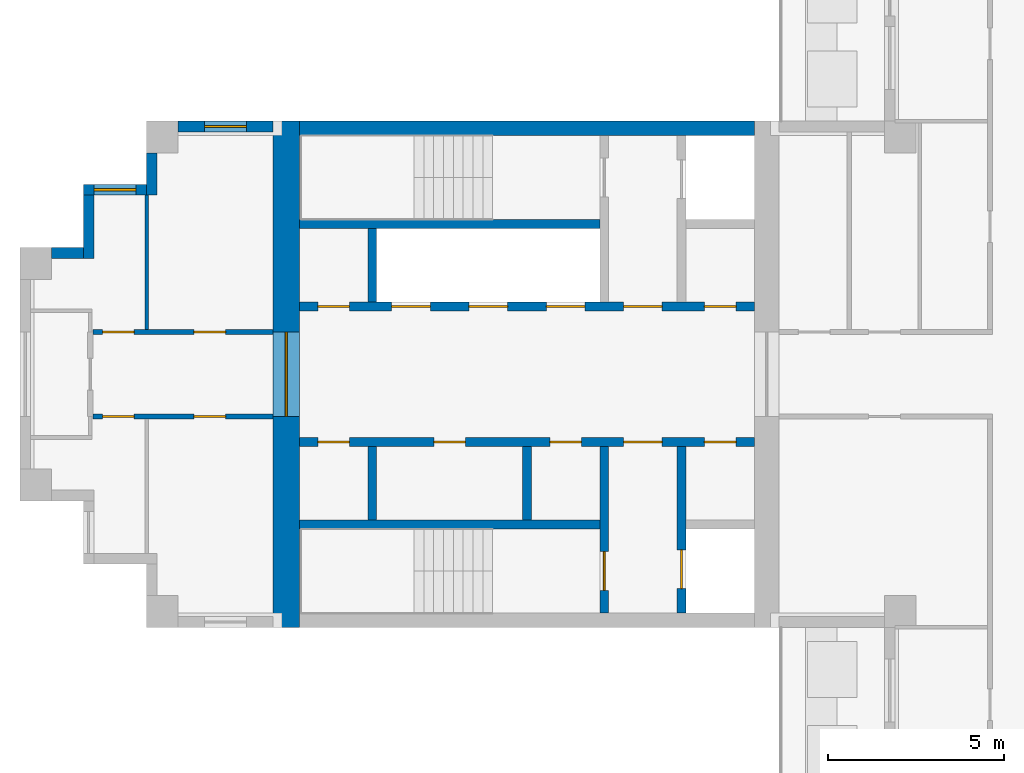
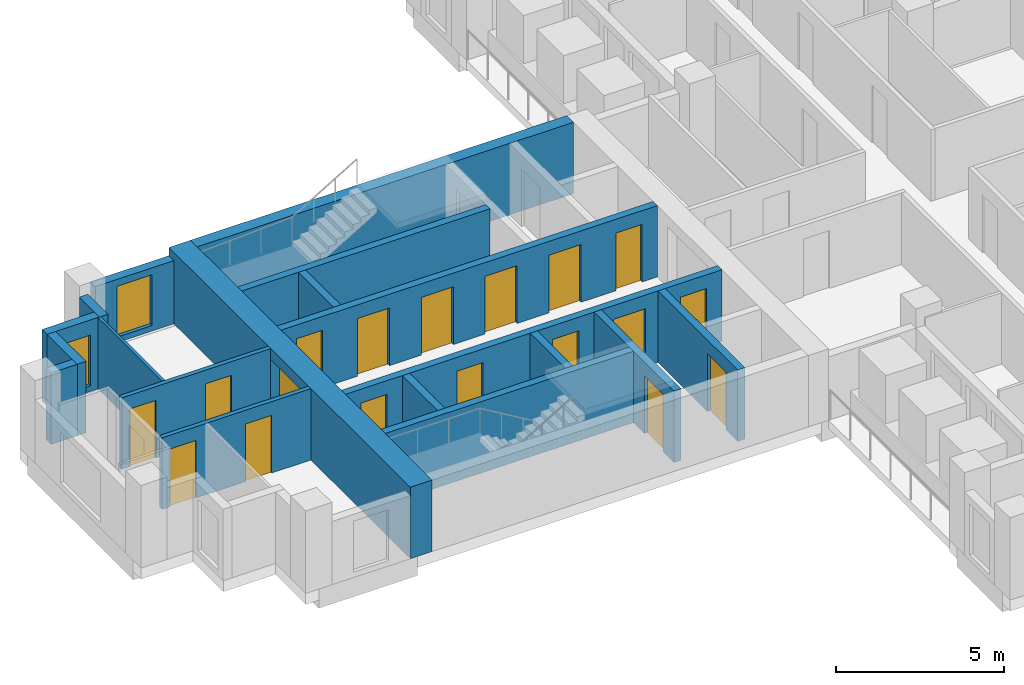
# One storey, part 3 of 10: 19 walls, 18 doors, 2 windows, 20 openings.
"""IFC4 building model written with IfcOpenShell, lengths in metres."""

from ifc_helpers import new_model, si_unit, direction, frame, frame_2d, origin, place, context, subcontext, project, spatial, rectangle, extrude, material, layer, layer_set, type_object, element, fill, save


model = new_model("IFC4")

# Units and contexts
model_context = context("Model", 3, precision=1e-05, world=origin(), true_north=direction((0.0, 1.0)))
body_context = subcontext(model_context, "Body", "Model", "MODEL_VIEW")
ifc_project = project(units=[si_unit("LENGTHUNIT", "METRE"), si_unit("AREAUNIT", "SQUARE_METRE"), si_unit("VOLUMEUNIT", "CUBIC_METRE"), si_unit("PLANEANGLEUNIT", "RADIAN"), si_unit("MASSUNIT", "GRAM", prefix="KILO")], contexts=[model_context])

# Site, building, storey
site_placement = place(None, origin())
site = spatial("IfcSite", under=ifc_project, at=site_placement, CompositionType="ELEMENT")
building_placement = place(site_placement, origin())
building = spatial("IfcBuilding", under=site, at=building_placement, Name="Fustian Cross Tower", CompositionType="ELEMENT")
storey_placement = place(building_placement, frame((0.0, 0.0, 213.89990234375)))
storey = spatial("IfcBuildingStorey", under=building, at=storey_placement, Name="L67", CompositionType="ELEMENT", Elevation=213.89990234375)

# Wall, openings, doors
ifc_material_1 = material(Name="Plasterboard on steel stud", Category="steel")
ifc_layer_1 = layer(ifc_material_1, 0.14990234375)
ifc_layer_set_1 = layer_set([ifc_layer_1], Name="Plasterboard on steel stud")
wall_type_1 = type_object("IfcWallType", Name="COMPARTMENT WALL 150 EI 60", PredefinedType="PARTITIONING", material=ifc_layer_set_1)
wall_1_placement = place(storey_placement, frame((-26.72509765625, -1.199951171875, 0.0), z_axis=(0.0, 0.0, 1.0), x_axis=(1.0, 0.0, 0.0)))
wall_1 = element("IfcWall", 1, at=wall_1_placement, inside=storey, type_object=wall_type_1, Name="Partition 5", PredefinedType="PARTITIONING", context=body_context, shape_type="SweptSolid", body=[
    extrude(rectangle(XDim=5.125, YDim=0.14990234375, at=frame_2d((2.5625, 0.0))), origin(), (0.0, 0.0, 1.0), 2.60009765625),
])
opening_1_placement = place(wall_1_placement, frame((2.875, 0.0, 0.0)))
opening_1 = element("IfcOpeningElement", 2, at=opening_1_placement, cuts=wall_1, Name="Opening D30026", PredefinedType="OPENING", context=body_context, shape_type="SweptSolid", body=[
    extrude(rectangle(XDim=0.89990234375, YDim=2.10009765625, at=frame_2d((0.449951171875, 1.050048828125))), frame((0.0, 0.0849609375, 0.0), z_axis=(0.0, -1.0, 0.0), x_axis=(1.0, 0.0, 0.0)), (0.0, 0.0, 1.0), 0.169921875),
])
opening_2_placement = place(wall_1_placement, frame((0.27490234375, 0.0, 0.0)))
opening_2 = element("IfcOpeningElement", 3, at=opening_2_placement, cuts=wall_1, Name="Opening D30027", PredefinedType="OPENING", context=body_context, shape_type="SweptSolid", body=[
    extrude(rectangle(XDim=0.89990234375, YDim=2.10009765625, at=frame_2d((0.449951171875, 1.050048828125))), frame((0.0, 0.0849609375, 0.0), z_axis=(0.0, -1.0, 0.0), x_axis=(1.0, 0.0, 0.0)), (0.0, 0.0, 1.0), 0.169921875),
])
ifc_material_2 = material(Name="Timber fire door set", Category="wood")
door_type_1 = type_object("IfcDoorType", Name="FIRE SWING DOOR 900 FD30S", OperationType="SINGLE_SWING_LEFT", PredefinedType="DOOR", material=ifc_material_2)
door_1_placement = place(opening_1_placement, frame((0.89990234375, 0.0, 0.0), z_axis=(0.0, 0.0, 1.0), x_axis=(-1.0, 0.0, 0.0)))
door_1 = element("IfcDoor", 4, at=door_1_placement, inside=storey, type_object=door_type_1, Name="Door D30026", OperationType="SINGLE_SWING_RIGHT", OverallHeight=2.10009765625, OverallWidth=0.89990234375, PredefinedType="DOOR", context=body_context, shape_type="SweptSolid", body=[
    extrude(rectangle(XDim=0.89990234375, YDim=2.10009765625, at=frame_2d((0.449951171875, 1.050048828125))), frame((0.0, 0.02490234375, 0.0), z_axis=(0.0, -1.0, 0.0), x_axis=(1.0, 0.0, 0.0)), (0.0, 0.0, 1.0), 0.050048828125),
])
fill(opening_1, door_1)
door_2_placement = place(opening_2_placement, frame((0.89990234375, 0.0, 0.0), z_axis=(0.0, 0.0, 1.0), x_axis=(-1.0, 0.0, 0.0)))
door_2 = element("IfcDoor", 5, at=door_2_placement, inside=storey, type_object=door_type_1, Name="Door D30027", OperationType="SINGLE_SWING_RIGHT", OverallHeight=2.10009765625, OverallWidth=0.89990234375, PredefinedType="DOOR", context=body_context, shape_type="SweptSolid", body=[
    extrude(rectangle(XDim=0.89990234375, YDim=2.10009765625, at=frame_2d((0.449951171875, 1.050048828125))), frame((0.0, 0.02490234375, 0.0), z_axis=(0.0, -1.0, 0.0), x_axis=(1.0, 0.0, 0.0)), (0.0, 0.0, 1.0), 0.050048828125),
])
fill(opening_2, door_2)

wall_2_placement = place(storey_placement, frame((-26.72509765625, 1.199951171875, 0.0), z_axis=(0.0, 0.0, 1.0), x_axis=(1.0, 0.0, 0.0)))
wall_2 = element("IfcWall", 6, at=wall_2_placement, inside=storey, type_object=wall_type_1, Name="Partition 7", PredefinedType="PARTITIONING", context=body_context, shape_type="SweptSolid", body=[
    extrude(rectangle(XDim=5.125, YDim=0.14990234375, at=frame_2d((2.5625, 0.0))), origin(), (0.0, 0.0, 1.0), 2.60009765625),
])
opening_3_placement = place(wall_2_placement, frame((2.875, 0.0, 0.0)))
opening_3 = element("IfcOpeningElement", 7, at=opening_3_placement, cuts=wall_2, Name="Opening D30028", PredefinedType="OPENING", context=body_context, shape_type="SweptSolid", body=[
    extrude(rectangle(XDim=0.89990234375, YDim=2.10009765625, at=frame_2d((0.449951171875, 1.050048828125))), frame((0.0, 0.0849609375, 0.0), z_axis=(0.0, -1.0, 0.0), x_axis=(1.0, 0.0, 0.0)), (0.0, 0.0, 1.0), 0.169921875),
])
opening_4_placement = place(wall_2_placement, frame((0.27490234375, 0.0, 0.0)))
opening_4 = element("IfcOpeningElement", 8, at=opening_4_placement, cuts=wall_2, Name="Opening D30029", PredefinedType="OPENING", context=body_context, shape_type="SweptSolid", body=[
    extrude(rectangle(XDim=0.89990234375, YDim=2.10009765625, at=frame_2d((0.449951171875, 1.050048828125))), frame((0.0, 0.0849609375, 0.0), z_axis=(0.0, -1.0, 0.0), x_axis=(1.0, 0.0, 0.0)), (0.0, 0.0, 1.0), 0.169921875),
])
door_3_placement = place(opening_3_placement, origin())
door_3 = element("IfcDoor", 9, at=door_3_placement, inside=storey, type_object=door_type_1, Name="Door D30028", OperationType="SINGLE_SWING_LEFT", OverallHeight=2.10009765625, OverallWidth=0.89990234375, PredefinedType="DOOR", context=body_context, shape_type="SweptSolid", body=[
    extrude(rectangle(XDim=0.89990234375, YDim=2.10009765625, at=frame_2d((0.449951171875, 1.050048828125))), frame((0.0, 0.02490234375, 0.0), z_axis=(0.0, -1.0, 0.0), x_axis=(1.0, 0.0, 0.0)), (0.0, 0.0, 1.0), 0.050048828125),
])
fill(opening_3, door_3)
door_4_placement = place(opening_4_placement, origin())
door_4 = element("IfcDoor", 10, at=door_4_placement, inside=storey, type_object=door_type_1, Name="Door D30029", OperationType="SINGLE_SWING_LEFT", OverallHeight=2.10009765625, OverallWidth=0.89990234375, PredefinedType="DOOR", context=body_context, shape_type="SweptSolid", body=[
    extrude(rectangle(XDim=0.89990234375, YDim=2.10009765625, at=frame_2d((0.449951171875, 1.050048828125))), frame((0.0, 0.02490234375, 0.0), z_axis=(0.0, -1.0, 0.0), x_axis=(1.0, 0.0, 0.0)), (0.0, 0.0, 1.0), 0.050048828125),
])
fill(opening_4, door_4)

# Wall, opening, door
ifc_material_3 = material(Name="Concrete C50/60", Category="concrete")
ifc_layer_2 = layer(ifc_material_3, 0.75)
ifc_layer_set_2 = layer_set([ifc_layer_2], Name="Concrete C50/60")
wall_type_2 = type_object("IfcWallType", Name="CORE END WALL 750 C50/60", PredefinedType="SHEAR", material=ifc_layer_set_2)
wall_3_placement = place(storey_placement, frame((-21.22509765625, -7.199951171875, 0.0), z_axis=(0.0, 0.0, 1.0), x_axis=(0.0, 1.0, 0.0)))
wall_3 = element("IfcWall", 11, at=wall_3_placement, inside=storey, type_object=wall_type_2, Name="Core end wall", PredefinedType="SHEAR", context=body_context, shape_type="SweptSolid", body=[
    extrude(rectangle(XDim=14.39990234375, YDim=0.75, at=frame_2d((7.199951171875, 0.0))), origin(), (0.0, 0.0, 1.0), 2.60009765625),
])
opening_5_placement = place(wall_3_placement, frame((6.0, 0.0, 0.0)))
opening_5 = element("IfcOpeningElement", 12, at=opening_5_placement, cuts=wall_3, Name="Opening CD-28-30", PredefinedType="OPENING", context=body_context, shape_type="SweptSolid", body=[
    extrude(rectangle(XDim=2.39990234375, YDim=2.199951171875, at=frame_2d((1.199951171875, 1.10009765625))), frame((0.0, 0.385009765625, 0.0), z_axis=(0.0, -1.0, 0.0), x_axis=(1.0, 0.0, 0.0)), (0.0, 0.0, 1.0), 0.77001953125),
])
ifc_material_4 = material(Name="Steel", Category="steel")
door_type_2 = type_object("IfcDoorType", Name="FIRE DOOR FD30S DOUBLE 2400X2200", OperationType="DOUBLE_DOOR_DOUBLE_SWING", PredefinedType="DOOR", material=ifc_material_4)
door_5_placement = place(opening_5_placement, frame((2.39990234375, 0.0, 0.0), z_axis=(0.0, 0.0, 1.0), x_axis=(-1.0, 0.0, 0.0)))
door_5 = element("IfcDoor", 13, at=door_5_placement, inside=storey, type_object=door_type_2, Name="Core door CD-28-30", OperationType="DOUBLE_DOOR_DOUBLE_SWING", OverallHeight=2.199951171875, OverallWidth=2.39990234375, PredefinedType="DOOR", context=body_context, shape_type="SweptSolid", body=[
    extrude(rectangle(XDim=2.39990234375, YDim=2.199951171875, at=frame_2d((1.199951171875, 1.10009765625))), frame((0.0, 0.02490234375, 0.0), z_axis=(0.0, -1.0, 0.0), x_axis=(1.0, 0.0, 0.0)), (0.0, 0.0, 1.0), 0.050048828125),
])
fill(opening_5, door_5)

# Wall
ifc_material_5 = material(Name="Concrete C50/60", Category="concrete")
ifc_layer_3 = layer(ifc_material_5, 0.39990234375)
ifc_layer_set_3 = layer_set([ifc_layer_3], Name="Concrete C50/60")
wall_type_3 = type_object("IfcWallType", Name="CORE FACADE WALL 400 C50/60", PredefinedType="SHEAR", material=ifc_layer_set_3)
wall_4_placement = place(storey_placement, frame((-7.89990234375, 7.0, 0.0), z_axis=(0.0, 0.0, 1.0), x_axis=(-1.0, 0.0, 0.0)))
element("IfcWall", 14, at=wall_4_placement, inside=storey, type_object=wall_type_3, Name="Core facade wall", PredefinedType="SHEAR", context=body_context, shape_type="SweptSolid", body=[
    extrude(rectangle(XDim=12.9501953125, YDim=0.39990234375, at=frame_2d((6.47509765625, 0.0))), origin(), (0.0, 0.0, 1.0), 2.60009765625),
])

# Wall, openings, doors
ifc_material_6 = material(Name="Concrete C50/60", Category="concrete")
ifc_layer_4 = layer(ifc_material_6, 0.25)
ifc_layer_set_4 = layer_set([ifc_layer_4], Name="Concrete C50/60")
wall_type_4 = type_object("IfcWallType", Name="CORE LOBBY WALL 250 C50/60", PredefinedType="SHEAR", material=ifc_layer_set_4)
wall_5_placement = place(storey_placement, frame((-7.89990234375, 1.925048828125, 0.0), z_axis=(0.0, 0.0, 1.0), x_axis=(-1.0, 0.0, 0.0)))
wall_5 = element("IfcWall", 15, at=wall_5_placement, inside=storey, type_object=wall_type_4, Name="Core lobby wall", PredefinedType="SHEAR", context=body_context, shape_type="SweptSolid", body=[
    extrude(rectangle(XDim=12.9501953125, YDim=0.25, at=frame_2d((6.47509765625, 0.0))), origin(), (0.0, 0.0, 1.0), 2.60009765625),
])
opening_6_placement = place(wall_5_placement, frame((4.824951171875, 0.0, 0.0)))
opening_6 = element("IfcOpeningElement", 16, at=opening_6_placement, cuts=wall_5, Name="Opening LD", PredefinedType="OPENING", context=body_context, shape_type="SweptSolid", body=[
    extrude(rectangle(XDim=1.10009765625, YDim=2.10009765625, at=frame_2d((0.550048828125, 1.050048828125))), frame((0.0, 0.135009765625, 0.0), z_axis=(0.0, -1.0, 0.0), x_axis=(1.0, 0.0, 0.0)), (0.0, 0.0, 1.0), 0.27001953125),
])
opening_7_placement = place(wall_5_placement, frame((7.02490234375, 0.0, 0.0)))
opening_7 = element("IfcOpeningElement", 17, at=opening_7_placement, cuts=wall_5, Name="Opening LD", PredefinedType="OPENING", context=body_context, shape_type="SweptSolid", body=[
    extrude(rectangle(XDim=1.10009765625, YDim=2.10009765625, at=frame_2d((0.550048828125, 1.050048828125))), frame((0.0, 0.135009765625, 0.0), z_axis=(0.0, -1.0, 0.0), x_axis=(1.0, 0.0, 0.0)), (0.0, 0.0, 1.0), 0.27001953125),
])
opening_8_placement = place(wall_5_placement, frame((9.22509765625, 0.0, 0.0)))
opening_8 = element("IfcOpeningElement", 18, at=opening_8_placement, cuts=wall_5, Name="Opening LD", PredefinedType="OPENING", context=body_context, shape_type="SweptSolid", body=[
    extrude(rectangle(XDim=1.10009765625, YDim=2.10009765625, at=frame_2d((0.550048828125, 1.050048828125))), frame((0.0, 0.135009765625, 0.0), z_axis=(0.0, -1.0, 0.0), x_axis=(1.0, 0.0, 0.0)), (0.0, 0.0, 1.0), 0.27001953125),
])
opening_9_placement = place(wall_5_placement, frame((0.52490234375, 0.0, 0.0)))
opening_9 = element("IfcOpeningElement", 19, at=opening_9_placement, cuts=wall_5, Name="Opening CD-28-25", PredefinedType="OPENING", context=body_context, shape_type="SweptSolid", body=[
    extrude(rectangle(XDim=0.89990234375, YDim=2.10009765625, at=frame_2d((0.449951171875, 1.050048828125))), frame((0.0, 0.135009765625, 0.0), z_axis=(0.0, -1.0, 0.0), x_axis=(1.0, 0.0, 0.0)), (0.0, 0.0, 1.0), 0.27001953125),
])
opening_10_placement = place(wall_5_placement, frame((2.625, 0.0, 0.0)))
opening_10 = element("IfcOpeningElement", 20, at=opening_10_placement, cuts=wall_5, Name="Opening CD-28-27", PredefinedType="OPENING", context=body_context, shape_type="SweptSolid", body=[
    extrude(rectangle(XDim=1.10009765625, YDim=2.10009765625, at=frame_2d((0.550048828125, 1.050048828125))), frame((0.0, 0.135009765625, 0.0), z_axis=(0.0, -1.0, 0.0), x_axis=(1.0, 0.0, 0.0)), (0.0, 0.0, 1.0), 0.27001953125),
])
opening_11_placement = place(wall_5_placement, frame((11.52490234375, 0.0, 0.0)))
opening_11 = element("IfcOpeningElement", 21, at=opening_11_placement, cuts=wall_5, Name="Opening CD-28-31", PredefinedType="OPENING", context=body_context, shape_type="SweptSolid", body=[
    extrude(rectangle(XDim=0.89990234375, YDim=2.10009765625, at=frame_2d((0.449951171875, 1.050048828125))), frame((0.0, 0.135009765625, 0.0), z_axis=(0.0, -1.0, 0.0), x_axis=(1.0, 0.0, 0.0)), (0.0, 0.0, 1.0), 0.27001953125),
])
ifc_material_7 = material(Name="Steel", Category="steel")
door_type_3 = type_object("IfcDoorType", Name="FIRE DOOR FD30S 900X2100", OperationType="SINGLE_SWING_LEFT", PredefinedType="DOOR", material=ifc_material_7)
door_6_placement = place(opening_11_placement, frame((0.89990234375, 0.0, 0.0), z_axis=(0.0, 0.0, 1.0), x_axis=(-1.0, 0.0, 0.0)))
door_6 = element("IfcDoor", 22, at=door_6_placement, inside=storey, type_object=door_type_3, Name="Core door CD-28-31", OperationType="SINGLE_SWING_RIGHT", OverallHeight=2.10009765625, OverallWidth=0.89990234375, PredefinedType="DOOR", context=body_context, shape_type="SweptSolid", body=[
    extrude(rectangle(XDim=0.89990234375, YDim=2.10009765625, at=frame_2d((0.449951171875, 1.050048828125))), frame((0.0, 0.02490234375, 0.0), z_axis=(0.0, -1.0, 0.0), x_axis=(1.0, 0.0, 0.0)), (0.0, 0.0, 1.0), 0.050048828125),
])
fill(opening_11, door_6)
ifc_material_8 = material(Name="Steel", Category="steel")
door_type_4 = type_object("IfcDoorType", Name="FIRE DOOR FD60S 1100X2100", OperationType="SINGLE_SWING_LEFT", PredefinedType="DOOR", material=ifc_material_8)
door_7_placement = place(opening_10_placement, frame((1.10009765625, 0.0, 0.0), z_axis=(0.0, 0.0, 1.0), x_axis=(-1.0, 0.0, 0.0)))
door_7 = element("IfcDoor", 23, at=door_7_placement, inside=storey, type_object=door_type_4, Name="Core door CD-28-27", OperationType="SINGLE_SWING_RIGHT", OverallHeight=2.10009765625, OverallWidth=1.10009765625, PredefinedType="DOOR", context=body_context, shape_type="SweptSolid", body=[
    extrude(rectangle(XDim=1.10009765625, YDim=2.10009765625, at=frame_2d((0.550048828125, 1.050048828125))), frame((0.0, 0.02490234375, 0.0), z_axis=(0.0, -1.0, 0.0), x_axis=(1.0, 0.0, 0.0)), (0.0, 0.0, 1.0), 0.050048828125),
])
fill(opening_10, door_7)
ifc_material_9 = material(Name="Steel", Category="steel")
door_type_5 = type_object("IfcDoorType", Name="FIRE DOOR FD60S 900X2100", OperationType="SINGLE_SWING_LEFT", PredefinedType="DOOR", material=ifc_material_9)
door_8_placement = place(opening_9_placement, frame((0.89990234375, 0.0, 0.0), z_axis=(0.0, 0.0, 1.0), x_axis=(-1.0, 0.0, 0.0)))
door_8 = element("IfcDoor", 24, at=door_8_placement, inside=storey, type_object=door_type_5, Name="Core door CD-28-25", OperationType="SINGLE_SWING_RIGHT", OverallHeight=2.10009765625, OverallWidth=0.89990234375, PredefinedType="DOOR", context=body_context, shape_type="SweptSolid", body=[
    extrude(rectangle(XDim=0.89990234375, YDim=2.10009765625, at=frame_2d((0.449951171875, 1.050048828125))), frame((0.0, 0.02490234375, 0.0), z_axis=(0.0, -1.0, 0.0), x_axis=(1.0, 0.0, 0.0)), (0.0, 0.0, 1.0), 0.050048828125),
])
fill(opening_9, door_8)
ifc_material_10 = material(Name="Stainless steel", Category="steel")
door_type_6 = type_object("IfcDoorType", Name="LIFT LANDING DOOR 1100X2100", OperationType="SLIDING_TO_LEFT", PredefinedType="DOOR", material=ifc_material_10)
door_9_placement = place(opening_6_placement, origin())
door_9 = element("IfcDoor", 25, at=door_9_placement, inside=storey, type_object=door_type_6, Name="Landing door HR1W", OperationType="SLIDING_TO_LEFT", OverallHeight=2.10009765625, OverallWidth=1.10009765625, PredefinedType="DOOR", context=body_context, shape_type="SweptSolid", body=[
    extrude(rectangle(XDim=1.10009765625, YDim=2.10009765625, at=frame_2d((0.550048828125, 1.050048828125))), frame((0.0, 0.02490234375, 0.0), z_axis=(0.0, -1.0, 0.0), x_axis=(1.0, 0.0, 0.0)), (0.0, 0.0, 1.0), 0.050048828125),
])
fill(opening_6, door_9)
door_10_placement = place(opening_7_placement, origin())
door_10 = element("IfcDoor", 26, at=door_10_placement, inside=storey, type_object=door_type_6, Name="Landing door HR2W", OperationType="SLIDING_TO_LEFT", OverallHeight=2.10009765625, OverallWidth=1.10009765625, PredefinedType="DOOR", context=body_context, shape_type="SweptSolid", body=[
    extrude(rectangle(XDim=1.10009765625, YDim=2.10009765625, at=frame_2d((0.550048828125, 1.050048828125))), frame((0.0, 0.02490234375, 0.0), z_axis=(0.0, -1.0, 0.0), x_axis=(1.0, 0.0, 0.0)), (0.0, 0.0, 1.0), 0.050048828125),
])
fill(opening_7, door_10)
door_11_placement = place(opening_8_placement, origin())
door_11 = element("IfcDoor", 27, at=door_11_placement, inside=storey, type_object=door_type_6, Name="Landing door HR3W", OperationType="SLIDING_TO_LEFT", OverallHeight=2.10009765625, OverallWidth=1.10009765625, PredefinedType="DOOR", context=body_context, shape_type="SweptSolid", body=[
    extrude(rectangle(XDim=1.10009765625, YDim=2.10009765625, at=frame_2d((0.550048828125, 1.050048828125))), frame((0.0, 0.02490234375, 0.0), z_axis=(0.0, -1.0, 0.0), x_axis=(1.0, 0.0, 0.0)), (0.0, 0.0, 1.0), 0.050048828125),
])
fill(opening_8, door_11)

wall_6_placement = place(storey_placement, frame((-7.89990234375, -1.925048828125, 0.0), z_axis=(0.0, 0.0, 1.0), x_axis=(-1.0, 0.0, 0.0)))
wall_6 = element("IfcWall", 28, at=wall_6_placement, inside=storey, type_object=wall_type_4, Name="Core lobby wall", PredefinedType="SHEAR", context=body_context, shape_type="SweptSolid", body=[
    extrude(rectangle(XDim=12.9501953125, YDim=0.25, at=frame_2d((6.47509765625, 0.0))), origin(), (0.0, 0.0, 1.0), 2.60009765625),
])
opening_12_placement = place(wall_6_placement, frame((0.52490234375, 0.0, 0.0)))
opening_12 = element("IfcOpeningElement", 29, at=opening_12_placement, cuts=wall_6, Name="Opening CD-28-26", PredefinedType="OPENING", context=body_context, shape_type="SweptSolid", body=[
    extrude(rectangle(XDim=0.89990234375, YDim=2.10009765625, at=frame_2d((0.449951171875, 1.050048828125))), frame((0.0, 0.135009765625, 0.0), z_axis=(0.0, -1.0, 0.0), x_axis=(1.0, 0.0, 0.0)), (0.0, 0.0, 1.0), 0.27001953125),
])
opening_13_placement = place(wall_6_placement, frame((2.625, 0.0, 0.0)))
opening_13 = element("IfcOpeningElement", 30, at=opening_13_placement, cuts=wall_6, Name="Opening CD-28-28", PredefinedType="OPENING", context=body_context, shape_type="SweptSolid", body=[
    extrude(rectangle(XDim=1.10009765625, YDim=2.10009765625, at=frame_2d((0.550048828125, 1.050048828125))), frame((0.0, 0.135009765625, 0.0), z_axis=(0.0, -1.0, 0.0), x_axis=(1.0, 0.0, 0.0)), (0.0, 0.0, 1.0), 0.27001953125),
])
opening_14_placement = place(wall_6_placement, frame((4.925048828125, 0.0, 0.0)))
opening_14 = element("IfcOpeningElement", 31, at=opening_14_placement, cuts=wall_6, Name="Opening CD-28-32", PredefinedType="OPENING", context=body_context, shape_type="SweptSolid", body=[
    extrude(rectangle(XDim=0.89990234375, YDim=2.10009765625, at=frame_2d((0.449951171875, 1.050048828125))), frame((0.0, 0.135009765625, 0.0), z_axis=(0.0, -1.0, 0.0), x_axis=(1.0, 0.0, 0.0)), (0.0, 0.0, 1.0), 0.27001953125),
])
opening_15_placement = place(wall_6_placement, frame((8.22509765625, 0.0, 0.0)))
opening_15 = element("IfcOpeningElement", 32, at=opening_15_placement, cuts=wall_6, Name="Opening CD-28-33", PredefinedType="OPENING", context=body_context, shape_type="SweptSolid", body=[
    extrude(rectangle(XDim=0.89990234375, YDim=2.10009765625, at=frame_2d((0.449951171875, 1.050048828125))), frame((0.0, 0.135009765625, 0.0), z_axis=(0.0, -1.0, 0.0), x_axis=(1.0, 0.0, 0.0)), (0.0, 0.0, 1.0), 0.27001953125),
])
opening_16_placement = place(wall_6_placement, frame((11.52490234375, 0.0, 0.0)))
opening_16 = element("IfcOpeningElement", 33, at=opening_16_placement, cuts=wall_6, Name="Opening CD-28-34", PredefinedType="OPENING", context=body_context, shape_type="SweptSolid", body=[
    extrude(rectangle(XDim=0.89990234375, YDim=2.10009765625, at=frame_2d((0.449951171875, 1.050048828125))), frame((0.0, 0.135009765625, 0.0), z_axis=(0.0, -1.0, 0.0), x_axis=(1.0, 0.0, 0.0)), (0.0, 0.0, 1.0), 0.27001953125),
])
ifc_material_11 = material(Name="Steel", Category="steel")
door_type_7 = type_object("IfcDoorType", Name="FIRE DOOR FD30S 1100X2100", OperationType="SINGLE_SWING_LEFT", PredefinedType="DOOR", material=ifc_material_11)
door_12_placement = place(opening_13_placement, frame((1.10009765625, 0.0, 0.0), z_axis=(0.0, 0.0, 1.0), x_axis=(-1.0, 0.0, 0.0)))
door_12 = element("IfcDoor", 34, at=door_12_placement, inside=storey, type_object=door_type_7, Name="Core door CD-28-28", OperationType="SINGLE_SWING_RIGHT", OverallHeight=2.10009765625, OverallWidth=1.10009765625, PredefinedType="DOOR", context=body_context, shape_type="SweptSolid", body=[
    extrude(rectangle(XDim=1.10009765625, YDim=2.10009765625, at=frame_2d((0.550048828125, 1.050048828125))), frame((0.0, 0.02490234375, 0.0), z_axis=(0.0, -1.0, 0.0), x_axis=(1.0, 0.0, 0.0)), (0.0, 0.0, 1.0), 0.050048828125),
])
fill(opening_13, door_12)
door_13_placement = place(opening_12_placement, origin())
door_13 = element("IfcDoor", 35, at=door_13_placement, inside=storey, type_object=door_type_3, Name="Core door CD-28-26", OperationType="SINGLE_SWING_LEFT", OverallHeight=2.10009765625, OverallWidth=0.89990234375, PredefinedType="DOOR", context=body_context, shape_type="SweptSolid", body=[
    extrude(rectangle(XDim=0.89990234375, YDim=2.10009765625, at=frame_2d((0.449951171875, 1.050048828125))), frame((0.0, 0.02490234375, 0.0), z_axis=(0.0, -1.0, 0.0), x_axis=(1.0, 0.0, 0.0)), (0.0, 0.0, 1.0), 0.050048828125),
])
fill(opening_12, door_13)
door_14_placement = place(opening_14_placement, origin())
door_14 = element("IfcDoor", 36, at=door_14_placement, inside=storey, type_object=door_type_3, Name="Core door CD-28-32", OperationType="SINGLE_SWING_LEFT", OverallHeight=2.10009765625, OverallWidth=0.89990234375, PredefinedType="DOOR", context=body_context, shape_type="SweptSolid", body=[
    extrude(rectangle(XDim=0.89990234375, YDim=2.10009765625, at=frame_2d((0.449951171875, 1.050048828125))), frame((0.0, 0.02490234375, 0.0), z_axis=(0.0, -1.0, 0.0), x_axis=(1.0, 0.0, 0.0)), (0.0, 0.0, 1.0), 0.050048828125),
])
fill(opening_14, door_14)
door_15_placement = place(opening_15_placement, origin())
door_15 = element("IfcDoor", 37, at=door_15_placement, inside=storey, type_object=door_type_3, Name="Core door CD-28-33", OperationType="SINGLE_SWING_RIGHT", OverallHeight=2.10009765625, OverallWidth=0.89990234375, PredefinedType="DOOR", context=body_context, shape_type="SweptSolid", body=[
    extrude(rectangle(XDim=0.89990234375, YDim=2.10009765625, at=frame_2d((0.449951171875, 1.050048828125))), frame((0.0, 0.02490234375, 0.0), z_axis=(0.0, -1.0, 0.0), x_axis=(1.0, 0.0, 0.0)), (0.0, 0.0, 1.0), 0.050048828125),
])
fill(opening_15, door_15)
door_16_placement = place(opening_16_placement, origin())
door_16 = element("IfcDoor", 38, at=door_16_placement, inside=storey, type_object=door_type_3, Name="Core door CD-28-34", OperationType="SINGLE_SWING_LEFT", OverallHeight=2.10009765625, OverallWidth=0.89990234375, PredefinedType="DOOR", context=body_context, shape_type="SweptSolid", body=[
    extrude(rectangle(XDim=0.89990234375, YDim=2.10009765625, at=frame_2d((0.449951171875, 1.050048828125))), frame((0.0, 0.02490234375, 0.0), z_axis=(0.0, -1.0, 0.0), x_axis=(1.0, 0.0, 0.0)), (0.0, 0.0, 1.0), 0.050048828125),
])
fill(opening_16, door_16)

# Walls
ifc_material_12 = material(Name="Concrete C50/60", Category="concrete")
ifc_layer_5 = layer(ifc_material_12, 0.25)
ifc_layer_set_5 = layer_set([ifc_layer_5], Name="Concrete C50/60")
wall_type_5 = type_object("IfcWallType", Name="CORE SHAFT WALL 250 C50/60", PredefinedType="SHEAR", material=ifc_layer_set_5)
for number, where, z_axis, x_axis, name in (
    (39, (-12.300048828125, 4.27490234375, 0.0), (0.0, 0.0, 1.0), (-1.0, 0.0, 0.0), "Core shaft wall"),
    (40, (-12.300048828125, -4.27490234375, 0.0), (0.0, 0.0, 1.0), (-1.0, 0.0, 0.0), "Core shaft wall"),
):
    element("IfcWall", number, at=place(storey_placement, frame(where, z_axis=z_axis, x_axis=x_axis)), inside=storey, type_object=wall_type_5, Name=name, PredefinedType="SHEAR", context=body_context, shape_type="SweptSolid", body=[
        extrude(rectangle(XDim=8.550048828125, YDim=0.25, at=frame_2d((4.27490234375, 0.0))), origin(), (0.0, 0.0, 1.0), 2.60009765625),
    ])

# Wall, opening, door
wall_7_placement = place(storey_placement, frame((-9.97509765625, -2.050048828125, 0.0), z_axis=(0.0, 0.0, 1.0), x_axis=(0.0, -1.0, 0.0)))
wall_7 = element("IfcWall", 41, at=wall_7_placement, inside=storey, type_object=wall_type_5, Name="Core shaft wall", PredefinedType="SHEAR", context=body_context, shape_type="SweptSolid", body=[
    extrude(rectangle(XDim=4.75, YDim=0.25, at=frame_2d((2.375, 0.0))), origin(), (0.0, 0.0, 1.0), 2.60009765625),
])
opening_17_placement = place(wall_7_placement, frame((2.949951171875, 0.0, 0.0)))
opening_17 = element("IfcOpeningElement", 42, at=opening_17_placement, cuts=wall_7, Name="Opening LD", PredefinedType="OPENING", context=body_context, shape_type="SweptSolid", body=[
    extrude(rectangle(XDim=1.10009765625, YDim=2.10009765625, at=frame_2d((0.550048828125, 1.050048828125))), frame((0.0, 0.135009765625, 0.0), z_axis=(0.0, -1.0, 0.0), x_axis=(1.0, 0.0, 0.0)), (0.0, 0.0, 1.0), 0.27001953125),
])
door_17_placement = place(opening_17_placement, origin())
door_17 = element("IfcDoor", 43, at=door_17_placement, inside=storey, type_object=door_type_6, Name="Landing door SV1W", OperationType="SLIDING_TO_LEFT", OverallHeight=2.10009765625, OverallWidth=1.10009765625, PredefinedType="DOOR", context=body_context, shape_type="SweptSolid", body=[
    extrude(rectangle(XDim=1.10009765625, YDim=2.10009765625, at=frame_2d((0.550048828125, 1.050048828125))), frame((0.0, 0.02490234375, 0.0), z_axis=(0.0, -1.0, 0.0), x_axis=(1.0, 0.0, 0.0)), (0.0, 0.0, 1.0), 0.050048828125),
])
fill(opening_17, door_17)

wall_8_placement = place(storey_placement, frame((-12.175048828125, -2.050048828125, 0.0), z_axis=(0.0, 0.0, 1.0), x_axis=(0.0, -1.0, 0.0)))
wall_8 = element("IfcWall", 44, at=wall_8_placement, inside=storey, type_object=wall_type_5, Name="Core shaft wall", PredefinedType="SHEAR", context=body_context, shape_type="SweptSolid", body=[
    extrude(rectangle(XDim=4.75, YDim=0.25, at=frame_2d((2.375, 0.0))), origin(), (0.0, 0.0, 1.0), 2.60009765625),
])
opening_18_placement = place(wall_8_placement, frame((3.0, 0.0, 0.0)))
opening_18 = element("IfcOpeningElement", 45, at=opening_18_placement, cuts=wall_8, Name="Opening CD-28-24", PredefinedType="OPENING", context=body_context, shape_type="SweptSolid", body=[
    extrude(rectangle(XDim=1.10009765625, YDim=2.10009765625, at=frame_2d((0.550048828125, 1.050048828125))), frame((0.0, 0.135009765625, 0.0), z_axis=(0.0, -1.0, 0.0), x_axis=(1.0, 0.0, 0.0)), (0.0, 0.0, 1.0), 0.27001953125),
])
door_18_placement = place(opening_18_placement, frame((1.10009765625, 0.0, 0.0), z_axis=(0.0, 0.0, 1.0), x_axis=(-1.0, 0.0, 0.0)))
door_18 = element("IfcDoor", 46, at=door_18_placement, inside=storey, type_object=door_type_4, Name="Core door CD-28-24", OperationType="SINGLE_SWING_RIGHT", OverallHeight=2.10009765625, OverallWidth=1.10009765625, PredefinedType="DOOR", context=body_context, shape_type="SweptSolid", body=[
    extrude(rectangle(XDim=1.10009765625, YDim=2.10009765625, at=frame_2d((0.550048828125, 1.050048828125))), frame((0.0, 0.02490234375, 0.0), z_axis=(0.0, -1.0, 0.0), x_axis=(1.0, 0.0, 0.0)), (0.0, 0.0, 1.0), 0.050048828125),
])
fill(opening_18, door_18)

# Walls
ifc_material_13 = material(Name="Plasterboard on steel stud", Category="steel")
ifc_layer_6 = layer(ifc_material_13, 0.10009765625)
ifc_layer_set_6 = layer_set([ifc_layer_6], Name="Plasterboard on steel stud")
wall_type_6 = type_object("IfcWallType", Name="PARTITION 100 STUD", PredefinedType="PARTITIONING", material=ifc_layer_set_6)
wall_9_placement = place(storey_placement, frame((-25.199951171875, 1.27490234375, 0.0), z_axis=(0.0, 0.0, 1.0), x_axis=(0.0, 1.0, 0.0)))
element("IfcWall", 47, at=wall_9_placement, inside=storey, type_object=wall_type_6, Name="Partition 9", PredefinedType="PARTITIONING", context=body_context, shape_type="SweptSolid", body=[
    extrude(rectangle(XDim=3.8251953125, YDim=0.10009765625, at=frame_2d((1.91259765625, 0.0))), origin(), (0.0, 0.0, 1.0), 2.60009765625),
])
ifc_material_14 = material(Name="Concrete C40/50", Category="concrete")
ifc_layer_7 = layer(ifc_material_14, 0.25)
ifc_layer_set_7 = layer_set([ifc_layer_7], Name="Concrete C40/50")
wall_type_7 = type_object("IfcWallType", Name="SHAFT PARTITION WALL 250 C40/50", PredefinedType="PARTITIONING", material=ifc_layer_set_7)
for number, where, z_axis, x_axis, name in (
    (48, (-18.77490234375, 2.050048828125, 0.0), (0.0, 0.0, 1.0), (0.0, 1.0, 0.0), "Core shaft wall"),
    (49, (-14.375, -2.050048828125, 0.0), (0.0, 0.0, 1.0), (0.0, -1.0, 0.0), "Core shaft wall"),
    (50, (-18.77490234375, -2.050048828125, 0.0), (0.0, 0.0, 1.0), (0.0, -1.0, 0.0), "Core shaft wall"),
):
    element("IfcWall", number, at=place(storey_placement, frame(where, z_axis=z_axis, x_axis=x_axis)), inside=storey, type_object=wall_type_7, Name=name, PredefinedType="PARTITIONING", context=body_context, shape_type="SweptSolid", body=[
        extrude(rectangle(XDim=2.099853515625, YDim=0.25, at=frame_2d((1.0498046875, 0.0))), origin(), (0.0, 0.0, 1.0), 2.60009765625),
    ])

# Wall, opening, window
ifc_material_15 = material(Name="Dark aluminium cladding on insulated backing wall", Category="aluminium")
ifc_layer_8 = layer(ifc_material_15, 0.300048828125)
ifc_layer_set_8 = layer_set([ifc_layer_8], Name="Dark aluminium cladding on insulated backing wall")
wall_type_8 = type_object("IfcWallType", Name="XW1 EXTERNAL WALL 300", PredefinedType="SOLIDWALL", material=ifc_layer_set_8)
wall_10_placement = place(storey_placement, frame((-21.60009765625, 7.050048828125, 0.0), z_axis=(0.0, 0.0, 1.0), x_axis=(-1.0, 0.0, 0.0)))
wall_10 = element("IfcWall", 51, at=wall_10_placement, inside=storey, type_object=wall_type_8, Name="External wall", PredefinedType="SOLIDWALL", context=body_context, shape_type="SweptSolid", body=[
    extrude(rectangle(XDim=2.699951171875, YDim=0.300048828125, at=frame_2d((1.35009765625, 0.0))), origin(), (0.0, 0.0, 1.0), 2.300048828125),
])
opening_19_placement = place(wall_10_placement, frame((0.75, 0.0, 0.199951171875)))
opening_19 = element("IfcOpeningElement", 52, at=opening_19_placement, cuts=wall_10, Name="Opening WN3", PredefinedType="OPENING", context=body_context, shape_type="SweptSolid", body=[
    extrude(rectangle(XDim=1.199951171875, YDim=1.85009765625, at=frame_2d((0.60009765625, 0.925048828125))), frame((0.0, 0.159912109375, 0.0), z_axis=(0.0, -1.0, 0.0), x_axis=(1.0, 0.0, 0.0)), (0.0, 0.0, 1.0), 0.320068359375),
])
ifc_material_16 = material(Name="Dark anodised aluminium and double glazing", Category="aluminium")
window_type = type_object("IfcWindowType", Name="WN3 WINDOW 1200X1850", PartitioningType="SINGLE_PANEL", PredefinedType="WINDOW", material=ifc_material_16)
window_1_placement = place(opening_19_placement, origin())
window_1 = element("IfcWindow", 53, at=window_1_placement, inside=storey, type_object=window_type, Name="Window", OverallHeight=1.85009765625, OverallWidth=1.199951171875, PartitioningType="SINGLE_PANEL", PredefinedType="WINDOW", context=body_context, shape_type="SweptSolid", body=[
    extrude(rectangle(XDim=1.199951171875, YDim=1.85009765625, at=frame_2d((0.60009765625, 0.925048828125))), frame((0.0, 0.030029296875, 0.0), z_axis=(0.0, -1.0, 0.0), x_axis=(1.0, 0.0, 0.0)), (0.0, 0.0, 1.0), 0.06005859375),
])
fill(opening_19, window_1)

# Wall
wall_11_placement = place(storey_placement, frame((-25.050048828125, 6.300048828125, 0.0), z_axis=(0.0, 0.0, 1.0), x_axis=(0.0, -1.0, 0.0)))
element("IfcWall", 54, at=wall_11_placement, inside=storey, type_object=wall_type_8, Name="External wall", PredefinedType="SOLIDWALL", context=body_context, shape_type="SweptSolid", body=[
    extrude(rectangle(XDim=1.199951171875, YDim=0.300048828125, at=frame_2d((0.60009765625, 0.0))), origin(), (0.0, 0.0, 1.0), 2.60009765625),
])

# Wall, opening, window
wall_12_placement = place(storey_placement, frame((-25.199951171875, 5.25, 0.0), z_axis=(0.0, 0.0, 1.0), x_axis=(-1.0, 0.0, 0.0)))
wall_12 = element("IfcWall", 55, at=wall_12_placement, inside=storey, type_object=wall_type_8, Name="External wall", PredefinedType="SOLIDWALL", context=body_context, shape_type="SweptSolid", body=[
    extrude(rectangle(XDim=1.800048828125, YDim=0.300048828125, at=frame_2d((0.89990234375, 0.0))), origin(), (0.0, 0.0, 1.0), 2.60009765625),
])
opening_20_placement = place(wall_12_placement, frame((0.300048828125, 0.0, 0.199951171875)))
opening_20 = element("IfcOpeningElement", 56, at=opening_20_placement, cuts=wall_12, Name="Opening WN3", PredefinedType="OPENING", context=body_context, shape_type="SweptSolid", body=[
    extrude(rectangle(XDim=1.199951171875, YDim=1.85009765625, at=frame_2d((0.60009765625, 0.925048828125))), frame((0.0, 0.159912109375, 0.0), z_axis=(0.0, -1.0, 0.0), x_axis=(1.0, 0.0, 0.0)), (0.0, 0.0, 1.0), 0.320068359375),
])
window_2_placement = place(opening_20_placement, origin())
window_2 = element("IfcWindow", 57, at=window_2_placement, inside=storey, type_object=window_type, Name="Window", OverallHeight=1.85009765625, OverallWidth=1.199951171875, PartitioningType="SINGLE_PANEL", PredefinedType="WINDOW", context=body_context, shape_type="SweptSolid", body=[
    extrude(rectangle(XDim=1.199951171875, YDim=1.85009765625, at=frame_2d((0.60009765625, 0.925048828125))), frame((0.0, 0.030029296875, 0.0), z_axis=(0.0, -1.0, 0.0), x_axis=(1.0, 0.0, 0.0)), (0.0, 0.0, 1.0), 0.06005859375),
])
fill(opening_20, window_2)

# Walls
wall_13_placement = place(storey_placement, frame((-26.85009765625, 5.10009765625, 0.0), z_axis=(0.0, 0.0, 1.0), x_axis=(0.0, -1.0, 0.0)))
element("IfcWall", 58, at=wall_13_placement, inside=storey, type_object=wall_type_8, Name="External wall", PredefinedType="SOLIDWALL", context=body_context, shape_type="SweptSolid", body=[
    extrude(rectangle(XDim=1.800048828125, YDim=0.300048828125, at=frame_2d((0.89990234375, 0.0))), origin(), (0.0, 0.0, 1.0), 2.60009765625),
])
wall_14_placement = place(storey_placement, frame((-27.0, 3.449951171875, 0.0), z_axis=(0.0, 0.0, 1.0), x_axis=(-1.0, 0.0, 0.0)))
element("IfcWall", 59, at=wall_14_placement, inside=storey, type_object=wall_type_8, Name="External wall", PredefinedType="SOLIDWALL", context=body_context, shape_type="SweptSolid", body=[
    extrude(rectangle(XDim=0.89990234375, YDim=0.300048828125, at=frame_2d((0.449951171875, 0.0))), origin(), (0.0, 0.0, 1.0), 2.60009765625),
])

save(model, "model.ifc")
